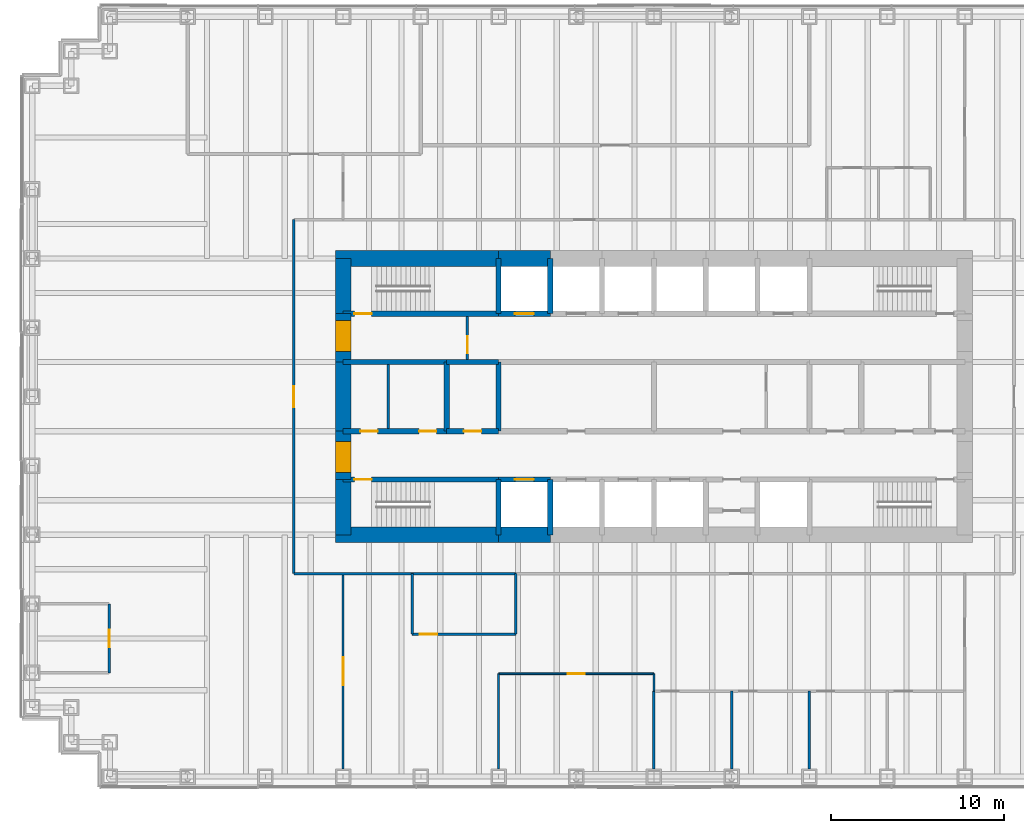
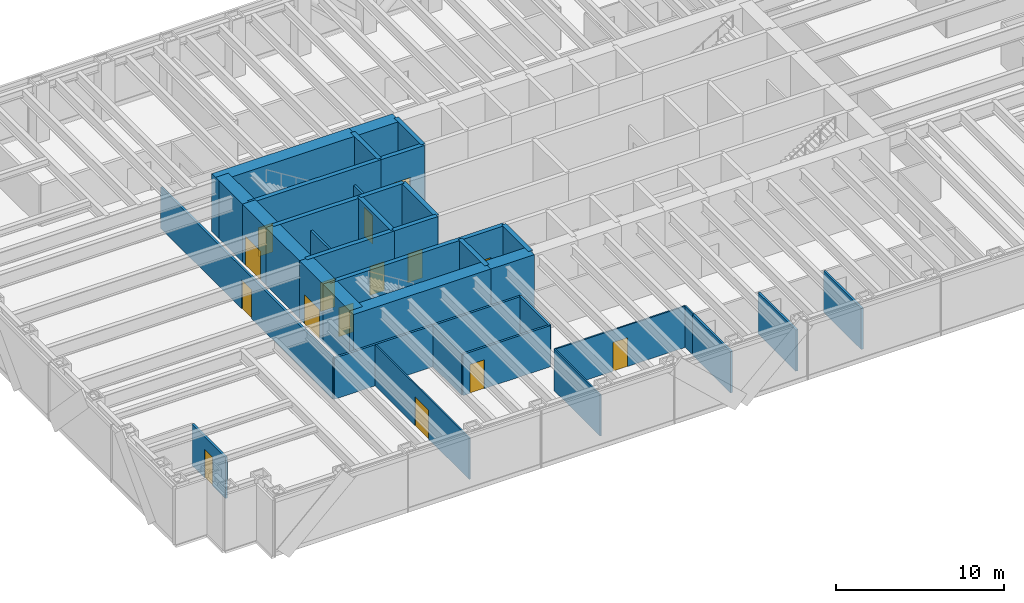
# One storey, part 11 of 15: 39 walls, 15 doors, 15 openings.
"""IFC4 building model written with IfcOpenShell, lengths in metres."""

from ifc_helpers import new_model, si_unit, direction, frame, frame_2d, origin, place, context, subcontext, project, spatial, rectangle, extrude, material, layer, layer_set, type_object, element, fill, save


model = new_model("IFC4")

# Units and contexts
model_context = context("Model", 3, precision=1e-05, world=origin(), true_north=direction((0.0, 1.0)))
body_context = subcontext(model_context, "Body", "Model", "MODEL_VIEW")
ifc_project = project(units=[si_unit("LENGTHUNIT", "METRE"), si_unit("AREAUNIT", "SQUARE_METRE"), si_unit("VOLUMEUNIT", "CUBIC_METRE"), si_unit("PLANEANGLEUNIT", "RADIAN"), si_unit("MASSUNIT", "GRAM", prefix="KILO")], contexts=[model_context])

# Site, building, storey
site_placement = place(None, origin())
site = spatial("IfcSite", under=ifc_project, at=site_placement, CompositionType="ELEMENT")
building_placement = place(site_placement, origin())
building = spatial("IfcBuilding", under=site, at=building_placement, Name="Rheinbord Bourse Tower", CompositionType="ELEMENT")
storey_placement = place(building_placement, frame((0.0, 0.0, 125.699951171875)))
storey = spatial("IfcBuildingStorey", under=building, at=storey_placement, Name="L27", CompositionType="ELEMENT", Elevation=125.699951171875)

# Wall, opening, door
ifc_material_1 = material(Name="Concrete C50/60", Category="concrete")
ifc_layer_1 = layer(ifc_material_1, 0.300048828125)
ifc_layer_set_1 = layer_set([ifc_layer_1], Name="CORE INNER WALL 300")
wall_type_1 = type_object("IfcWallType", Name="CORE INNER WALL 300", PredefinedType="SOLIDWALL", material=ifc_layer_set_1)
wall_1_placement = place(storey_placement, frame((18.0, 19.199951171875, 0.0), z_axis=(0.0, 0.0, 1.0), x_axis=(1.0, 0.0, 0.0)))
wall_1 = element("IfcWall", 1, at=wall_1_placement, inside=storey, type_object=wall_type_1, Name="Core wall A1 L27", PredefinedType="SOLIDWALL", context=body_context, shape_type="SweptSolid", body=[
    extrude(rectangle(XDim=9.0, YDim=0.300048828125, at=frame_2d((4.5, 0.0))), origin(), (0.0, 0.0, 1.0), 4.199951171875),
])
opening_1_placement = place(wall_1_placement, frame((0.64990234375, 0.0, 0.0)))
opening_1 = element("IfcOpeningElement", 2, at=opening_1_placement, cuts=wall_1, Name="Opening 2710", PredefinedType="OPENING", context=body_context, shape_type="SweptSolid", body=[
    extrude(rectangle(XDim=1.0, YDim=2.10009765625, at=frame_2d((0.5, 1.050048828125))), frame((0.0, 0.159912109375, 0.0), z_axis=(0.0, -1.0, 0.0), x_axis=(1.0, 0.0, 0.0)), (0.0, 0.0, 1.0), 0.320068359375),
])
ifc_material_2 = material(Name="Steel door", Category="steel")
door_type_1 = type_object("IfcDoorType", Name="DOOR 1000 EI30", OperationType="SINGLE_SWING_LEFT", PredefinedType="DOOR", material=ifc_material_2)
door_1_placement = place(opening_1_placement, origin())
door_1 = element("IfcDoor", 3, at=door_1_placement, inside=storey, type_object=door_type_1, Name="Stair door ST1 L27", OperationType="SINGLE_SWING_LEFT", OverallHeight=2.10009765625, OverallWidth=1.0, PredefinedType="DOOR", context=body_context, shape_type="SweptSolid", body=[
    extrude(rectangle(XDim=1.0, YDim=2.10009765625, at=frame_2d((0.5, 1.050048828125))), frame((0.0, 0.02490234375, 0.0), z_axis=(0.0, -1.0, 0.0), x_axis=(1.0, 0.0, 0.0)), (0.0, 0.0, 1.0), 0.050048828125),
])
fill(opening_1, door_1)

wall_2_placement = place(storey_placement, frame((27.0, 19.199951171875, 0.0), z_axis=(0.0, 0.0, 1.0), x_axis=(1.0, 0.0, 0.0)))
wall_2 = element("IfcWall", 4, at=wall_2_placement, inside=storey, type_object=wall_type_1, Name="Core wall A2 L27", PredefinedType="SOLIDWALL", context=body_context, shape_type="SweptSolid", body=[
    extrude(rectangle(XDim=3.0, YDim=0.300048828125, at=frame_2d((1.5, 0.0))), origin(), (0.0, 0.0, 1.0), 4.199951171875),
])
opening_2_placement = place(wall_2_placement, frame((0.949951171875, 0.0, 0.0)))
opening_2 = element("IfcOpeningElement", 5, at=opening_2_placement, cuts=wall_2, Name="Opening FL1", PredefinedType="OPENING", context=body_context, shape_type="SweptSolid", body=[
    extrude(rectangle(XDim=1.10009765625, YDim=2.199951171875, at=frame_2d((0.550048828125, 1.10009765625))), frame((0.0, 0.159912109375, 0.0), z_axis=(0.0, -1.0, 0.0), x_axis=(1.0, 0.0, 0.0)), (0.0, 0.0, 1.0), 0.320068359375),
])
ifc_material_3 = material(Name="Steel landing door", Category="steel")
door_type_2 = type_object("IfcDoorType", Name="LIFT LANDING DOOR 1100", OperationType="DOUBLE_DOOR_SLIDING", PredefinedType="USERDEFINED", material=ifc_material_3)
door_2_placement = place(opening_2_placement, origin())
door_2 = element("IfcDoor", 6, at=door_2_placement, inside=storey, type_object=door_type_2, Name="Lift landing door FL1 L27", ObjectType="LIFT LANDING DOOR", OperationType="DOUBLE_DOOR_SLIDING", OverallHeight=2.199951171875, OverallWidth=1.10009765625, PredefinedType="USERDEFINED", context=body_context, shape_type="SweptSolid", body=[
    extrude(rectangle(XDim=1.10009765625, YDim=2.199951171875, at=frame_2d((0.550048828125, 1.10009765625))), frame((0.0, 0.02490234375, 0.0), z_axis=(0.0, -1.0, 0.0), x_axis=(1.0, 0.0, 0.0)), (0.0, 0.0, 1.0), 0.050048828125),
])
fill(opening_2, door_2)

wall_3_placement = place(storey_placement, frame((18.0, 28.800048828125, 0.0), z_axis=(0.0, 0.0, 1.0), x_axis=(1.0, 0.0, 0.0)))
wall_3 = element("IfcWall", 7, at=wall_3_placement, inside=storey, type_object=wall_type_1, Name="Core wall B1 L27", PredefinedType="SOLIDWALL", context=body_context, shape_type="SweptSolid", body=[
    extrude(rectangle(XDim=9.0, YDim=0.300048828125, at=frame_2d((4.5, 0.0))), origin(), (0.0, 0.0, 1.0), 4.199951171875),
])
opening_3_placement = place(wall_3_placement, frame((0.64990234375, 0.0, 0.0)))
opening_3 = element("IfcOpeningElement", 8, at=opening_3_placement, cuts=wall_3, Name="Opening 2720", PredefinedType="OPENING", context=body_context, shape_type="SweptSolid", body=[
    extrude(rectangle(XDim=1.0, YDim=2.10009765625, at=frame_2d((0.5, 1.050048828125))), frame((0.0, 0.159912109375, 0.0), z_axis=(0.0, -1.0, 0.0), x_axis=(1.0, 0.0, 0.0)), (0.0, 0.0, 1.0), 0.320068359375),
])
door_3_placement = place(opening_3_placement, origin())
door_3 = element("IfcDoor", 9, at=door_3_placement, inside=storey, type_object=door_type_1, Name="Stair door ST2 L27", OperationType="SINGLE_SWING_LEFT", OverallHeight=2.10009765625, OverallWidth=1.0, PredefinedType="DOOR", context=body_context, shape_type="SweptSolid", body=[
    extrude(rectangle(XDim=1.0, YDim=2.10009765625, at=frame_2d((0.5, 1.050048828125))), frame((0.0, 0.02490234375, 0.0), z_axis=(0.0, -1.0, 0.0), x_axis=(1.0, 0.0, 0.0)), (0.0, 0.0, 1.0), 0.050048828125),
])
fill(opening_3, door_3)

wall_4_placement = place(storey_placement, frame((27.0, 28.800048828125, 0.0), z_axis=(0.0, 0.0, 1.0), x_axis=(1.0, 0.0, 0.0)))
wall_4 = element("IfcWall", 10, at=wall_4_placement, inside=storey, type_object=wall_type_1, Name="Core wall B2 L27", PredefinedType="SOLIDWALL", context=body_context, shape_type="SweptSolid", body=[
    extrude(rectangle(XDim=3.0, YDim=0.300048828125, at=frame_2d((1.5, 0.0))), origin(), (0.0, 0.0, 1.0), 4.199951171875),
])
opening_4_placement = place(wall_4_placement, frame((0.949951171875, 0.0, 0.0)))
opening_4 = element("IfcOpeningElement", 11, at=opening_4_placement, cuts=wall_4, Name="Opening GL1", PredefinedType="OPENING", context=body_context, shape_type="SweptSolid", body=[
    extrude(rectangle(XDim=1.10009765625, YDim=2.199951171875, at=frame_2d((0.550048828125, 1.10009765625))), frame((0.0, 0.159912109375, 0.0), z_axis=(0.0, -1.0, 0.0), x_axis=(1.0, 0.0, 0.0)), (0.0, 0.0, 1.0), 0.320068359375),
])
door_4_placement = place(opening_4_placement, origin())
door_4 = element("IfcDoor", 12, at=door_4_placement, inside=storey, type_object=door_type_2, Name="Lift landing door GL1 L27", ObjectType="LIFT LANDING DOOR", OperationType="DOUBLE_DOOR_SLIDING", OverallHeight=2.199951171875, OverallWidth=1.10009765625, PredefinedType="USERDEFINED", context=body_context, shape_type="SweptSolid", body=[
    extrude(rectangle(XDim=1.10009765625, YDim=2.199951171875, at=frame_2d((0.550048828125, 1.10009765625))), frame((0.0, 0.02490234375, 0.0), z_axis=(0.0, -1.0, 0.0), x_axis=(1.0, 0.0, 0.0)), (0.0, 0.0, 1.0), 0.050048828125),
])
fill(opening_4, door_4)

# Wall, openings, doors
wall_5_placement = place(storey_placement, frame((18.0, 22.0, 0.0), z_axis=(0.0, 0.0, 1.0), x_axis=(1.0, 0.0, 0.0)))
wall_5 = element("IfcWall", 13, at=wall_5_placement, inside=storey, type_object=wall_type_1, Name="Core wall C1 L27", PredefinedType="SOLIDWALL", context=body_context, shape_type="SweptSolid", body=[
    extrude(rectangle(XDim=6.0, YDim=0.300048828125, at=frame_2d((3.0, 0.0))), origin(), (0.0, 0.0, 1.0), 4.199951171875),
])
opening_5_placement = place(wall_5_placement, frame((4.39990234375, 0.0, 0.0)))
opening_5 = element("IfcOpeningElement", 14, at=opening_5_placement, cuts=wall_5, Name="Opening 27R1", PredefinedType="OPENING", context=body_context, shape_type="SweptSolid", body=[
    extrude(rectangle(XDim=1.0, YDim=2.10009765625, at=frame_2d((0.5, 1.050048828125))), frame((0.0, 0.159912109375, 0.0), z_axis=(0.0, -1.0, 0.0), x_axis=(1.0, 0.0, 0.0)), (0.0, 0.0, 1.0), 0.320068359375),
])
opening_6_placement = place(wall_5_placement, frame((1.0, 0.0, 0.0)))
opening_6 = element("IfcOpeningElement", 15, at=opening_6_placement, cuts=wall_5, Name="Opening 27R9", PredefinedType="OPENING", context=body_context, shape_type="SweptSolid", body=[
    extrude(rectangle(XDim=1.0, YDim=2.10009765625, at=frame_2d((0.5, 1.050048828125))), frame((0.0, 0.159912109375, 0.0), z_axis=(0.0, -1.0, 0.0), x_axis=(1.0, 0.0, 0.0)), (0.0, 0.0, 1.0), 0.320068359375),
])
door_5_placement = place(opening_6_placement, origin())
door_5 = element("IfcDoor", 16, at=door_5_placement, inside=storey, type_object=door_type_1, Name="Baby change door L27", OperationType="SINGLE_SWING_LEFT", OverallHeight=2.10009765625, OverallWidth=1.0, PredefinedType="DOOR", context=body_context, shape_type="SweptSolid", body=[
    extrude(rectangle(XDim=1.0, YDim=2.10009765625, at=frame_2d((0.5, 1.050048828125))), frame((0.0, 0.02490234375, 0.0), z_axis=(0.0, -1.0, 0.0), x_axis=(1.0, 0.0, 0.0)), (0.0, 0.0, 1.0), 0.050048828125),
])
fill(opening_6, door_5)
ifc_material_4 = material(Name="Timber door", Category="wood")
door_type_3 = type_object("IfcDoorType", Name="DOOR 1000 WC", OperationType="SINGLE_SWING_LEFT", PredefinedType="DOOR", material=ifc_material_4)
door_6_placement = place(opening_5_placement, origin())
door_6 = element("IfcDoor", 17, at=door_6_placement, inside=storey, type_object=door_type_3, Name="WC men door L27", OperationType="SINGLE_SWING_RIGHT", OverallHeight=2.10009765625, OverallWidth=1.0, PredefinedType="DOOR", context=body_context, shape_type="SweptSolid", body=[
    extrude(rectangle(XDim=1.0, YDim=2.10009765625, at=frame_2d((0.5, 1.050048828125))), frame((0.0, 0.02490234375, 0.0), z_axis=(0.0, -1.0, 0.0), x_axis=(1.0, 0.0, 0.0)), (0.0, 0.0, 1.0), 0.050048828125),
])
fill(opening_5, door_6)

# Wall, opening, door
wall_6_placement = place(storey_placement, frame((24.0, 22.0, 0.0), z_axis=(0.0, 0.0, 1.0), x_axis=(1.0, 0.0, 0.0)))
wall_6 = element("IfcWall", 18, at=wall_6_placement, inside=storey, type_object=wall_type_1, Name="Core wall C2 L27", PredefinedType="SOLIDWALL", context=body_context, shape_type="SweptSolid", body=[
    extrude(rectangle(XDim=3.0, YDim=0.300048828125, at=frame_2d((1.5, 0.0))), origin(), (0.0, 0.0, 1.0), 4.199951171875),
])
opening_7_placement = place(wall_6_placement, frame((1.0, 0.0, 0.0)))
opening_7 = element("IfcOpeningElement", 19, at=opening_7_placement, cuts=wall_6, Name="Opening 27R2", PredefinedType="OPENING", context=body_context, shape_type="SweptSolid", body=[
    extrude(rectangle(XDim=1.0, YDim=2.10009765625, at=frame_2d((0.5, 1.050048828125))), frame((0.0, 0.159912109375, 0.0), z_axis=(0.0, -1.0, 0.0), x_axis=(1.0, 0.0, 0.0)), (0.0, 0.0, 1.0), 0.320068359375),
])
door_7_placement = place(opening_7_placement, origin())
door_7 = element("IfcDoor", 20, at=door_7_placement, inside=storey, type_object=door_type_3, Name="Accessible WC door L27", OperationType="SINGLE_SWING_LEFT", OverallHeight=2.10009765625, OverallWidth=1.0, PredefinedType="DOOR", context=body_context, shape_type="SweptSolid", body=[
    extrude(rectangle(XDim=1.0, YDim=2.10009765625, at=frame_2d((0.5, 1.050048828125))), frame((0.0, 0.02490234375, 0.0), z_axis=(0.0, -1.0, 0.0), x_axis=(1.0, 0.0, 0.0)), (0.0, 0.0, 1.0), 0.050048828125),
])
fill(opening_7, door_7)

# Walls
wall_7_placement = place(storey_placement, frame((18.0, 26.0, 0.0), z_axis=(0.0, 0.0, 1.0), x_axis=(1.0, 0.0, 0.0)))
element("IfcWall", 21, at=wall_7_placement, inside=storey, type_object=wall_type_1, Name="Core wall D1 L27", PredefinedType="SOLIDWALL", context=body_context, shape_type="SweptSolid", body=[
    extrude(rectangle(XDim=6.0, YDim=0.300048828125, at=frame_2d((3.0, 0.0))), origin(), (0.0, 0.0, 1.0), 4.199951171875),
])
wall_8_placement = place(storey_placement, frame((24.0, 26.0, 0.0), z_axis=(0.0, 0.0, 1.0), x_axis=(1.0, 0.0, 0.0)))
element("IfcWall", 22, at=wall_8_placement, inside=storey, type_object=wall_type_1, Name="Core wall D2 L27", PredefinedType="SOLIDWALL", context=body_context, shape_type="SweptSolid", body=[
    extrude(rectangle(XDim=3.0, YDim=0.300048828125, at=frame_2d((1.5, 0.0))), origin(), (0.0, 0.0, 1.0), 4.199951171875),
])
for number, where, z_axis, x_axis, name in (
    (23, (27.0, 16.0, 0.0), (0.0, 0.0, 1.0), (0.0, 1.0, 0.0), "Core wall SX27 L27"),
    (24, (27.0, 28.800048828125, 0.0), (0.0, 0.0, 1.0), (0.0, 1.0, 0.0), "Core wall NX27 L27"),
    (25, (30.0, 16.0, 0.0), (0.0, 0.0, 1.0), (0.0, 1.0, 0.0), "Core wall SX30 L27"),
    (26, (30.0, 28.800048828125, 0.0), (0.0, 0.0, 1.0), (0.0, 1.0, 0.0), "Core wall NX30 L27"),
):
    element("IfcWall", number, at=place(storey_placement, frame(where, z_axis=z_axis, x_axis=x_axis)), inside=storey, type_object=wall_type_1, Name=name, PredefinedType="SOLIDWALL", context=body_context, shape_type="SweptSolid", body=[
        extrude(rectangle(XDim=3.199951171875, YDim=0.300048828125, at=frame_2d((1.60009765625, 0.0))), origin(), (0.0, 0.0, 1.0), 4.199951171875),
    ])
for number, where, z_axis, x_axis, name in (
    (27, (24.0, 22.0, 0.0), (0.0, 0.0, 1.0), (0.0, 1.0, 0.0), "Core wall MX24 L27"),
    (28, (27.0, 22.0, 0.0), (0.0, 0.0, 1.0), (0.0, 1.0, 0.0), "Core wall MX27 L27"),
):
    element("IfcWall", number, at=place(storey_placement, frame(where, z_axis=z_axis, x_axis=x_axis)), inside=storey, type_object=wall_type_1, Name=name, PredefinedType="SOLIDWALL", context=body_context, shape_type="SweptSolid", body=[
        extrude(rectangle(XDim=4.0, YDim=0.300048828125, at=frame_2d((2.0, 0.0))), origin(), (0.0, 0.0, 1.0), 4.199951171875),
    ])
ifc_material_5 = material(Name="Gypsum board fire partition", Category="gypsum board")
ifc_layer_2 = layer(ifc_material_5, 0.14990234375)
ifc_layer_set_2 = layer_set([ifc_layer_2], Name="CORE PARTITION 150 EI30")
wall_type_2 = type_object("IfcWallType", Name="CORE PARTITION 150 EI30", PredefinedType="PARTITIONING", material=ifc_layer_set_2)
wall_9_placement = place(storey_placement, frame((20.625, 22.14990234375, 0.0), z_axis=(0.0, 0.0, 1.0), x_axis=(0.0, 1.0, 0.0)))
element("IfcWall", 29, at=wall_9_placement, inside=storey, type_object=wall_type_2, Name="Core partition L27-2", PredefinedType="PARTITIONING", context=body_context, shape_type="SweptSolid", body=[
    extrude(rectangle(XDim=3.7001953125, YDim=0.14990234375, at=frame_2d((1.85009765625, 0.0))), origin(), (0.0, 0.0, 1.0), 3.0),
])

# Wall, opening, door
wall_10_placement = place(storey_placement, frame((25.199951171875, 26.14990234375, 0.0), z_axis=(0.0, 0.0, 1.0), x_axis=(0.0, 1.0, 0.0)))
wall_10 = element("IfcWall", 30, at=wall_10_placement, inside=storey, type_object=wall_type_2, Name="Core partition L27-5", PredefinedType="PARTITIONING", context=body_context, shape_type="SweptSolid", body=[
    extrude(rectangle(XDim=2.5, YDim=0.14990234375, at=frame_2d((1.25, 0.0))), origin(), (0.0, 0.0, 1.0), 3.0),
])
opening_8_placement = place(wall_10_placement, frame((0.35009765625, 0.0, 0.0)))
opening_8 = element("IfcOpeningElement", 31, at=opening_8_placement, cuts=wall_10, Name="Opening 27L6", PredefinedType="OPENING", context=body_context, shape_type="SweptSolid", body=[
    extrude(rectangle(XDim=1.0, YDim=2.10009765625, at=frame_2d((0.5, 1.050048828125))), frame((0.0, 0.0849609375, 0.0), z_axis=(0.0, -1.0, 0.0), x_axis=(1.0, 0.0, 0.0)), (0.0, 0.0, 1.0), 0.169921875),
])
door_8_placement = place(opening_8_placement, origin())
door_8 = element("IfcDoor", 32, at=door_8_placement, inside=storey, type_object=door_type_1, Name="Stair lobby door L27", OperationType="SINGLE_SWING_LEFT", OverallHeight=2.10009765625, OverallWidth=1.0, PredefinedType="DOOR", context=body_context, shape_type="SweptSolid", body=[
    extrude(rectangle(XDim=1.0, YDim=2.10009765625, at=frame_2d((0.5, 1.050048828125))), frame((0.0, 0.02490234375, 0.0), z_axis=(0.0, -1.0, 0.0), x_axis=(1.0, 0.0, 0.0)), (0.0, 0.0, 1.0), 0.050048828125),
])
fill(opening_8, door_8)

# Walls
ifc_material_6 = material(Name="Concrete C50/60", Category="concrete")
ifc_layer_3 = layer(ifc_material_6, 0.89990234375)
ifc_layer_set_3 = layer_set([ifc_layer_3], Name="CORE WALL 900")
wall_type_3 = type_object("IfcWallType", Name="CORE WALL 900", PredefinedType="SHEAR", material=ifc_layer_set_3)
wall_11_placement = place(storey_placement, frame((17.550048828125, 16.0, 0.0), z_axis=(0.0, 0.0, 1.0), x_axis=(1.0, 0.0, 0.0)))
element("IfcWall", 33, at=wall_11_placement, inside=storey, type_object=wall_type_3, Name="Core wall S1 L27", PredefinedType="SHEAR", context=body_context, shape_type="SweptSolid", body=[
    extrude(rectangle(XDim=9.449951171875, YDim=0.89990234375, at=frame_2d((4.72509765625, 0.0))), origin(), (0.0, 0.0, 1.0), 4.199951171875),
])
for number, where, z_axis, x_axis, name in (
    (34, (27.0, 16.0, 0.0), (0.0, 0.0, 1.0), (1.0, 0.0, 0.0), "Core wall S2 L27"),
    (35, (30.0, 32.0, 0.0), (0.0, 0.0, 1.0), (-1.0, 0.0, 0.0), "Core wall N7 L27"),
):
    element("IfcWall", number, at=place(storey_placement, frame(where, z_axis=z_axis, x_axis=x_axis)), inside=storey, type_object=wall_type_3, Name=name, PredefinedType="SHEAR", context=body_context, shape_type="SweptSolid", body=[
        extrude(rectangle(XDim=3.0, YDim=0.89990234375, at=frame_2d((1.5, 0.0))), origin(), (0.0, 0.0, 1.0), 4.199951171875),
    ])
wall_12_placement = place(storey_placement, frame((27.0, 32.0, 0.0), z_axis=(0.0, 0.0, 1.0), x_axis=(-1.0, 0.0, 0.0)))
element("IfcWall", 36, at=wall_12_placement, inside=storey, type_object=wall_type_3, Name="Core wall N8 L27", PredefinedType="SHEAR", context=body_context, shape_type="SweptSolid", body=[
    extrude(rectangle(XDim=9.449951171875, YDim=0.89990234375, at=frame_2d((4.72509765625, 0.0))), origin(), (0.0, 0.0, 1.0), 4.199951171875),
])
wall_13_placement = place(storey_placement, frame((18.0, 32.0, 0.0), z_axis=(0.0, 0.0, 1.0), x_axis=(0.0, -1.0, 0.0)))
element("IfcWall", 37, at=wall_13_placement, inside=storey, type_object=wall_type_3, Name="Core wall W1 L27", PredefinedType="SHEAR", context=body_context, shape_type="SweptSolid", body=[
    extrude(rectangle(XDim=3.199951171875, YDim=0.89990234375, at=frame_2d((1.60009765625, 0.0))), origin(), (0.0, 0.0, 1.0), 4.199951171875),
])

# Wall, opening, door
wall_14_placement = place(storey_placement, frame((18.0, 28.800048828125, 0.0), z_axis=(0.0, 0.0, 1.0), x_axis=(0.0, -1.0, 0.0)))
wall_14 = element("IfcWall", 38, at=wall_14_placement, inside=storey, type_object=wall_type_3, Name="Core wall W2 L27", PredefinedType="SHEAR", context=body_context, shape_type="SweptSolid", body=[
    extrude(rectangle(XDim=2.800048828125, YDim=0.89990234375, at=frame_2d((1.39990234375, 0.0))), origin(), (0.0, 0.0, 1.0), 4.199951171875),
])
opening_9_placement = place(wall_14_placement, frame((0.39990234375, 0.0, 0.0)))
opening_9 = element("IfcOpeningElement", 39, at=opening_9_placement, cuts=wall_14, Name="Opening 27L2", PredefinedType="OPENING", context=body_context, shape_type="SweptSolid", body=[
    extrude(rectangle(XDim=1.800048828125, YDim=2.10009765625, at=frame_2d((0.89990234375, 1.050048828125))), frame((0.0, 0.4599609375, 0.0), z_axis=(0.0, -1.0, 0.0), x_axis=(1.0, 0.0, 0.0)), (0.0, 0.0, 1.0), 0.919921875),
])
ifc_material_7 = material(Name="Steel door", Category="steel")
door_type_4 = type_object("IfcDoorType", Name="DOOR 1800 EI30 DOUBLE", OperationType="DOUBLE_DOOR_DOUBLE_SWING", PredefinedType="DOOR", material=ifc_material_7)
door_9_placement = place(opening_9_placement, origin())
door_9 = element("IfcDoor", 40, at=door_9_placement, inside=storey, type_object=door_type_4, Name="Lobby door 2 L27", OperationType="SINGLE_SWING_LEFT", OverallHeight=2.10009765625, OverallWidth=1.800048828125, PredefinedType="DOOR", context=body_context, shape_type="SweptSolid", body=[
    extrude(rectangle(XDim=1.800048828125, YDim=2.10009765625, at=frame_2d((0.89990234375, 1.050048828125))), frame((0.0, 0.44970703125, 0.0), z_axis=(0.0, -1.0, 0.0), x_axis=(1.0, 0.0, 0.0)), (0.0, 0.0, 1.0), 0.8994140625),
])
fill(opening_9, door_9)

# Wall
wall_15_placement = place(storey_placement, frame((18.0, 26.0, 0.0), z_axis=(0.0, 0.0, 1.0), x_axis=(0.0, -1.0, 0.0)))
element("IfcWall", 41, at=wall_15_placement, inside=storey, type_object=wall_type_3, Name="Core wall W3 L27", PredefinedType="SHEAR", context=body_context, shape_type="SweptSolid", body=[
    extrude(rectangle(XDim=4.0, YDim=0.89990234375, at=frame_2d((2.0, 0.0))), origin(), (0.0, 0.0, 1.0), 4.199951171875),
])

# Wall, opening, door
wall_16_placement = place(storey_placement, frame((18.0, 22.0, 0.0), z_axis=(0.0, 0.0, 1.0), x_axis=(0.0, -1.0, 0.0)))
wall_16 = element("IfcWall", 42, at=wall_16_placement, inside=storey, type_object=wall_type_3, Name="Core wall W4 L27", PredefinedType="SHEAR", context=body_context, shape_type="SweptSolid", body=[
    extrude(rectangle(XDim=2.800048828125, YDim=0.89990234375, at=frame_2d((1.39990234375, 0.0))), origin(), (0.0, 0.0, 1.0), 4.199951171875),
])
opening_10_placement = place(wall_16_placement, frame((0.60009765625, 0.0, 0.0)))
opening_10 = element("IfcOpeningElement", 43, at=opening_10_placement, cuts=wall_16, Name="Opening 27L1", PredefinedType="OPENING", context=body_context, shape_type="SweptSolid", body=[
    extrude(rectangle(XDim=1.800048828125, YDim=2.10009765625, at=frame_2d((0.89990234375, 1.050048828125))), frame((0.0, 0.4599609375, 0.0), z_axis=(0.0, -1.0, 0.0), x_axis=(1.0, 0.0, 0.0)), (0.0, 0.0, 1.0), 0.919921875),
])
door_10_placement = place(opening_10_placement, origin())
door_10 = element("IfcDoor", 44, at=door_10_placement, inside=storey, type_object=door_type_4, Name="Lobby door 1 L27", OperationType="SINGLE_SWING_LEFT", OverallHeight=2.10009765625, OverallWidth=1.800048828125, PredefinedType="DOOR", context=body_context, shape_type="SweptSolid", body=[
    extrude(rectangle(XDim=1.800048828125, YDim=2.10009765625, at=frame_2d((0.89990234375, 1.050048828125))), frame((0.0, 0.44970703125, 0.0), z_axis=(0.0, -1.0, 0.0), x_axis=(1.0, 0.0, 0.0)), (0.0, 0.0, 1.0), 0.8994140625),
])
fill(opening_10, door_10)

# Walls
wall_17_placement = place(storey_placement, frame((18.0, 19.199951171875, 0.0), z_axis=(0.0, 0.0, 1.0), x_axis=(0.0, -1.0, 0.0)))
element("IfcWall", 45, at=wall_17_placement, inside=storey, type_object=wall_type_3, Name="Core wall W5 L27", PredefinedType="SHEAR", context=body_context, shape_type="SweptSolid", body=[
    extrude(rectangle(XDim=3.199951171875, YDim=0.89990234375, at=frame_2d((1.60009765625, 0.0))), origin(), (0.0, 0.0, 1.0), 4.199951171875),
])
ifc_material_8 = material(Name="Gypsum board corridor partition", Category="gypsum board")
ifc_layer_4 = layer(ifc_material_8, 0.14990234375)
ifc_layer_set_4 = layer_set([ifc_layer_4], Name="CORRIDOR PARTITION 150 EI30")
wall_type_4 = type_object("IfcWallType", Name="CORRIDOR PARTITION 150 EI30", PredefinedType="PARTITIONING", material=ifc_layer_set_4)
wall_18_placement = place(storey_placement, frame((15.14990234375, 13.75, 0.0), z_axis=(0.0, 0.0, 1.0), x_axis=(1.0, 0.0, 0.0)))
element("IfcWall", 46, at=wall_18_placement, inside=storey, type_object=wall_type_4, Name="Partition L27-08", PredefinedType="PARTITIONING", context=body_context, shape_type="SweptSolid", body=[
    extrude(rectangle(XDim=6.85009765625, YDim=0.14990234375, at=frame_2d((3.425048828125, 0.0))), origin(), (0.0, 0.0, 1.0), 3.0),
])

# Wall, opening, door
wall_19_placement = place(storey_placement, frame((15.14990234375, 13.75, 0.0), z_axis=(0.0, 0.0, 1.0), x_axis=(0.0, 1.0, 0.0)))
wall_19 = element("IfcWall", 47, at=wall_19_placement, inside=storey, type_object=wall_type_4, Name="Partition L27-22", PredefinedType="PARTITIONING", context=body_context, shape_type="SweptSolid", body=[
    extrude(rectangle(XDim=20.5, YDim=0.14990234375, at=frame_2d((10.25, 0.0))), origin(), (0.0, 0.0, 1.0), 3.0),
])
opening_11_placement = place(wall_19_placement, frame((9.64990234375, 0.0, 0.0)))
opening_11 = element("IfcOpeningElement", 48, at=opening_11_placement, cuts=wall_19, Name="Opening 27D21", PredefinedType="OPENING", context=body_context, shape_type="SweptSolid", body=[
    extrude(rectangle(XDim=1.199951171875, YDim=2.10009765625, at=frame_2d((0.60009765625, 1.050048828125))), frame((0.0, 0.0849609375, 0.0), z_axis=(0.0, -1.0, 0.0), x_axis=(1.0, 0.0, 0.0)), (0.0, 0.0, 1.0), 0.169921875),
])
ifc_material_9 = material(Name="Timber fire door", Category="wood")
door_type_5 = type_object("IfcDoorType", Name="SUITE ENTRANCE DOOR 1200 EI30", OperationType="SINGLE_SWING_LEFT", PredefinedType="DOOR", material=ifc_material_9)
door_11_placement = place(opening_11_placement, origin())
door_11 = element("IfcDoor", 49, at=door_11_placement, inside=storey, type_object=door_type_5, Name="Suite entrance 1 door L27", OperationType="SINGLE_SWING_LEFT", OverallHeight=2.10009765625, OverallWidth=1.199951171875, PredefinedType="DOOR", context=body_context, shape_type="SweptSolid", body=[
    extrude(rectangle(XDim=1.199951171875, YDim=2.10009765625, at=frame_2d((0.60009765625, 1.050048828125))), frame((0.0, 0.02490234375, 0.0), z_axis=(0.0, -1.0, 0.0), x_axis=(1.0, 0.0, 0.0)), (0.0, 0.0, 1.0), 0.050048828125),
])
fill(opening_11, door_11)

ifc_material_10 = material(Name="Gypsum board fire partition", Category="gypsum board")
ifc_layer_5 = layer(ifc_material_10, 0.14990234375)
ifc_layer_set_5 = layer_set([ifc_layer_5], Name="FIRE PARTITION 150 EI60")
wall_type_5 = type_object("IfcWallType", Name="FIRE PARTITION 150 EI60", PredefinedType="PARTITIONING", material=ifc_layer_set_5)
wall_20_placement = place(storey_placement, frame((22.0, 10.25, 0.0), z_axis=(0.0, 0.0, 1.0), x_axis=(1.0, 0.0, 0.0)))
wall_20 = element("IfcWall", 50, at=wall_20_placement, inside=storey, type_object=wall_type_5, Name="Partition L27-05", PredefinedType="PARTITIONING", context=body_context, shape_type="SweptSolid", body=[
    extrude(rectangle(XDim=6.0, YDim=0.14990234375, at=frame_2d((3.0, 0.0))), origin(), (0.0, 0.0, 1.0), 3.0),
])
opening_12_placement = place(wall_20_placement, frame((0.449951171875, 0.0, 0.0)))
opening_12 = element("IfcOpeningElement", 51, at=opening_12_placement, cuts=wall_20, Name="Opening 27D08", PredefinedType="OPENING", context=body_context, shape_type="SweptSolid", body=[
    extrude(rectangle(XDim=1.0, YDim=2.10009765625, at=frame_2d((0.5, 1.050048828125))), frame((0.0, 0.0849609375, 0.0), z_axis=(0.0, -1.0, 0.0), x_axis=(1.0, 0.0, 0.0)), (0.0, 0.0, 1.0), 0.169921875),
])
ifc_material_11 = material(Name="Timber fire door", Category="wood")
door_type_6 = type_object("IfcDoorType", Name="FIRE DOOR 1000 EI60", OperationType="SINGLE_SWING_LEFT", PredefinedType="DOOR", material=ifc_material_11)
door_12_placement = place(opening_12_placement, origin())
door_12 = element("IfcDoor", 52, at=door_12_placement, inside=storey, type_object=door_type_6, Name="Comms room door L27", OperationType="SINGLE_SWING_LEFT", OverallHeight=2.10009765625, OverallWidth=1.0, PredefinedType="DOOR", context=body_context, shape_type="SweptSolid", body=[
    extrude(rectangle(XDim=1.0, YDim=2.10009765625, at=frame_2d((0.5, 1.050048828125))), frame((0.0, 0.02490234375, 0.0), z_axis=(0.0, -1.0, 0.0), x_axis=(1.0, 0.0, 0.0)), (0.0, 0.0, 1.0), 0.050048828125),
])
fill(opening_12, door_12)

# Walls
wall_21_placement = place(storey_placement, frame((22.0, 13.75, 0.0), z_axis=(0.0, 0.0, 1.0), x_axis=(1.0, 0.0, 0.0)))
element("IfcWall", 53, at=wall_21_placement, inside=storey, type_object=wall_type_5, Name="Partition L27-09", PredefinedType="PARTITIONING", context=body_context, shape_type="SweptSolid", body=[
    extrude(rectangle(XDim=6.0, YDim=0.14990234375, at=frame_2d((3.0, 0.0))), origin(), (0.0, 0.0, 1.0), 3.0),
])
for number, where, z_axis, x_axis, name in (
    (54, (22.0, 10.25, 0.0), (0.0, 0.0, 1.0), (0.0, 1.0, 0.0), "Partition L27-25"),
    (55, (28.0, 10.25, 0.0), (0.0, 0.0, 1.0), (0.0, 1.0, 0.0), "Partition L27-28"),
):
    element("IfcWall", number, at=place(storey_placement, frame(where, z_axis=z_axis, x_axis=x_axis)), inside=storey, type_object=wall_type_5, Name=name, PredefinedType="PARTITIONING", context=body_context, shape_type="SweptSolid", body=[
        extrude(rectangle(XDim=3.5, YDim=0.14990234375, at=frame_2d((1.75, 0.0))), origin(), (0.0, 0.0, 1.0), 3.0),
    ])

# Wall, opening, door
ifc_material_12 = material(Name="Toughened laminated glass partition", Category="glass")
ifc_layer_6 = layer(ifc_material_12, 0.10009765625)
ifc_layer_set_6 = layer_set([ifc_layer_6], Name="GLAZED PARTITION 100")
wall_type_6 = type_object("IfcWallType", Name="GLAZED PARTITION 100", PredefinedType="PARTITIONING", material=ifc_layer_set_6)
wall_22_placement = place(storey_placement, frame((27.0, 7.949951171875, 0.0), z_axis=(0.0, 0.0, 1.0), x_axis=(1.0, 0.0, 0.0)))
wall_22 = element("IfcWall", 56, at=wall_22_placement, inside=storey, type_object=wall_type_6, Name="Partition L27-02", PredefinedType="PARTITIONING", context=body_context, shape_type="SweptSolid", body=[
    extrude(rectangle(XDim=9.0, YDim=0.10009765625, at=frame_2d((4.5, 0.0))), origin(), (0.0, 0.0, 1.0), 3.0),
])
opening_13_placement = place(wall_22_placement, frame((4.0, 0.0, 0.0)))
opening_13 = element("IfcOpeningElement", 57, at=opening_13_placement, cuts=wall_22, Name="Opening 27D05", PredefinedType="OPENING", context=body_context, shape_type="SweptSolid", body=[
    extrude(rectangle(XDim=1.0, YDim=2.10009765625, at=frame_2d((0.5, 1.050048828125))), frame((0.0, 0.06005859375, 0.0), z_axis=(0.0, -1.0, 0.0), x_axis=(1.0, 0.0, 0.0)), (0.0, 0.0, 1.0), 0.1201171875),
])
ifc_material_13 = material(Name="Timber door", Category="wood")
door_type_7 = type_object("IfcDoorType", Name="ROOM DOOR 1000", OperationType="SINGLE_SWING_LEFT", PredefinedType="DOOR", material=ifc_material_13)
door_13_placement = place(opening_13_placement, origin())
door_13 = element("IfcDoor", 58, at=door_13_placement, inside=storey, type_object=door_type_7, Name="Meeting room door L27", OperationType="SINGLE_SWING_LEFT", OverallHeight=2.10009765625, OverallWidth=1.0, PredefinedType="DOOR", context=body_context, shape_type="SweptSolid", body=[
    extrude(rectangle(XDim=1.0, YDim=2.10009765625, at=frame_2d((0.5, 1.050048828125))), frame((0.0, 0.02490234375, 0.0), z_axis=(0.0, -1.0, 0.0), x_axis=(1.0, 0.0, 0.0)), (0.0, 0.0, 1.0), 0.050048828125),
])
fill(opening_13, door_13)

wall_23_placement = place(storey_placement, frame((18.0, 2.449951171875, 0.0), z_axis=(0.0, 0.0, 1.0), x_axis=(0.0, 1.0, 0.0)))
wall_23 = element("IfcWall", 59, at=wall_23_placement, inside=storey, type_object=wall_type_6, Name="Partition L27-23", PredefinedType="PARTITIONING", context=body_context, shape_type="SweptSolid", body=[
    extrude(rectangle(XDim=11.300048828125, YDim=0.10009765625, at=frame_2d((5.64990234375, 0.0))), origin(), (0.0, 0.0, 1.0), 3.0),
])
opening_14_placement = place(wall_23_placement, frame((4.85009765625, 0.0, 0.0)))
opening_14 = element("IfcOpeningElement", 60, at=opening_14_placement, cuts=wall_23, Name="Opening 27D17", PredefinedType="OPENING", context=body_context, shape_type="SweptSolid", body=[
    extrude(rectangle(XDim=1.60009765625, YDim=2.10009765625, at=frame_2d((0.800048828125, 1.050048828125))), frame((0.0, 0.06005859375, 0.0), z_axis=(0.0, -1.0, 0.0), x_axis=(1.0, 0.0, 0.0)), (0.0, 0.0, 1.0), 0.1201171875),
])
ifc_material_14 = material(Name="Timber door", Category="wood")
door_type_8 = type_object("IfcDoorType", Name="DOUBLE ROOM DOOR 1600", OperationType="DOUBLE_DOOR_DOUBLE_SWING", PredefinedType="DOOR", material=ifc_material_14)
door_14_placement = place(opening_14_placement, origin())
door_14 = element("IfcDoor", 61, at=door_14_placement, inside=storey, type_object=door_type_8, Name="Open area door L27", OperationType="SINGLE_SWING_LEFT", OverallHeight=2.10009765625, OverallWidth=1.60009765625, PredefinedType="DOOR", context=body_context, shape_type="SweptSolid", body=[
    extrude(rectangle(XDim=1.60009765625, YDim=2.10009765625, at=frame_2d((0.800048828125, 1.050048828125))), frame((0.0, 0.02490234375, 0.0), z_axis=(0.0, -1.0, 0.0), x_axis=(1.0, 0.0, 0.0)), (0.0, 0.0, 1.0), 0.050048828125),
])
fill(opening_14, door_14)

# Walls
wall_24_placement = place(storey_placement, frame((27.0, 2.449951171875, 0.0), z_axis=(0.0, 0.0, 1.0), x_axis=(0.0, 1.0, 0.0)))
element("IfcWall", 62, at=wall_24_placement, inside=storey, type_object=wall_type_6, Name="Partition L27-27", PredefinedType="PARTITIONING", context=body_context, shape_type="SweptSolid", body=[
    extrude(rectangle(XDim=5.5, YDim=0.10009765625, at=frame_2d((2.75, 0.0))), origin(), (0.0, 0.0, 1.0), 3.0),
])
wall_25_placement = place(storey_placement, frame((36.0, 6.949951171875, 0.0), z_axis=(0.0, 0.0, 1.0), x_axis=(0.0, 1.0, 0.0)))
element("IfcWall", 63, at=wall_25_placement, inside=storey, type_object=wall_type_6, Name="Partition L27-30", PredefinedType="PARTITIONING", context=body_context, shape_type="SweptSolid", body=[
    extrude(rectangle(XDim=1.0, YDim=0.10009765625, at=frame_2d((0.5, 0.0))), origin(), (0.0, 0.0, 1.0), 3.0),
])

# Wall, opening, door
ifc_material_15 = material(Name="Gypsum board partition", Category="gypsum board")
ifc_layer_7 = layer(ifc_material_15, 0.14990234375)
ifc_layer_set_7 = layer_set([ifc_layer_7], Name="PARTITION 150")
wall_type_7 = type_object("IfcWallType", Name="PARTITION 150", PredefinedType="PARTITIONING", material=ifc_layer_set_7)
wall_26_placement = place(storey_placement, frame((4.449951171875, 8.0, 0.0), z_axis=(0.0, 0.0, 1.0), x_axis=(0.0, 1.0, 0.0)))
wall_26 = element("IfcWall", 64, at=wall_26_placement, inside=storey, type_object=wall_type_7, Name="Partition L27-20", PredefinedType="PARTITIONING", context=body_context, shape_type="SweptSolid", body=[
    extrude(rectangle(XDim=4.0, YDim=0.14990234375, at=frame_2d((2.0, 0.0))), origin(), (0.0, 0.0, 1.0), 3.0),
])
opening_15_placement = place(wall_26_placement, frame((1.5, 0.0, 0.0)))
opening_15 = element("IfcOpeningElement", 65, at=opening_15_placement, cuts=wall_26, Name="Opening 27D06", PredefinedType="OPENING", context=body_context, shape_type="SweptSolid", body=[
    extrude(rectangle(XDim=1.0, YDim=2.10009765625, at=frame_2d((0.5, 1.050048828125))), frame((0.0, 0.0849609375, 0.0), z_axis=(0.0, -1.0, 0.0), x_axis=(1.0, 0.0, 0.0)), (0.0, 0.0, 1.0), 0.169921875),
])
door_15_placement = place(opening_15_placement, origin())
door_15 = element("IfcDoor", 66, at=door_15_placement, inside=storey, type_object=door_type_7, Name="Print room door L27", OperationType="SINGLE_SWING_LEFT", OverallHeight=2.10009765625, OverallWidth=1.0, PredefinedType="DOOR", context=body_context, shape_type="SweptSolid", body=[
    extrude(rectangle(XDim=1.0, YDim=2.10009765625, at=frame_2d((0.5, 1.050048828125))), frame((0.0, 0.02490234375, 0.0), z_axis=(0.0, -1.0, 0.0), x_axis=(1.0, 0.0, 0.0)), (0.0, 0.0, 1.0), 0.050048828125),
])
fill(opening_15, door_15)

# Walls
for number, where, z_axis, x_axis, name in (
    (67, (36.0, 2.449951171875, 0.0), (0.0, 0.0, 1.0), (0.0, 1.0, 0.0), "Partition L27-29"),
    (68, (40.5, 2.449951171875, 0.0), (0.0, 0.0, 1.0), (0.0, 1.0, 0.0), "Partition L27-31"),
    (69, (45.0, 2.449951171875, 0.0), (0.0, 0.0, 1.0), (0.0, 1.0, 0.0), "Partition L27-32"),
):
    element("IfcWall", number, at=place(storey_placement, frame(where, z_axis=z_axis, x_axis=x_axis)), inside=storey, type_object=wall_type_7, Name=name, PredefinedType="PARTITIONING", context=body_context, shape_type="SweptSolid", body=[
        extrude(rectangle(XDim=4.5, YDim=0.14990234375, at=frame_2d((2.25, 0.0))), origin(), (0.0, 0.0, 1.0), 3.0),
    ])

save(model, "model.ifc")
